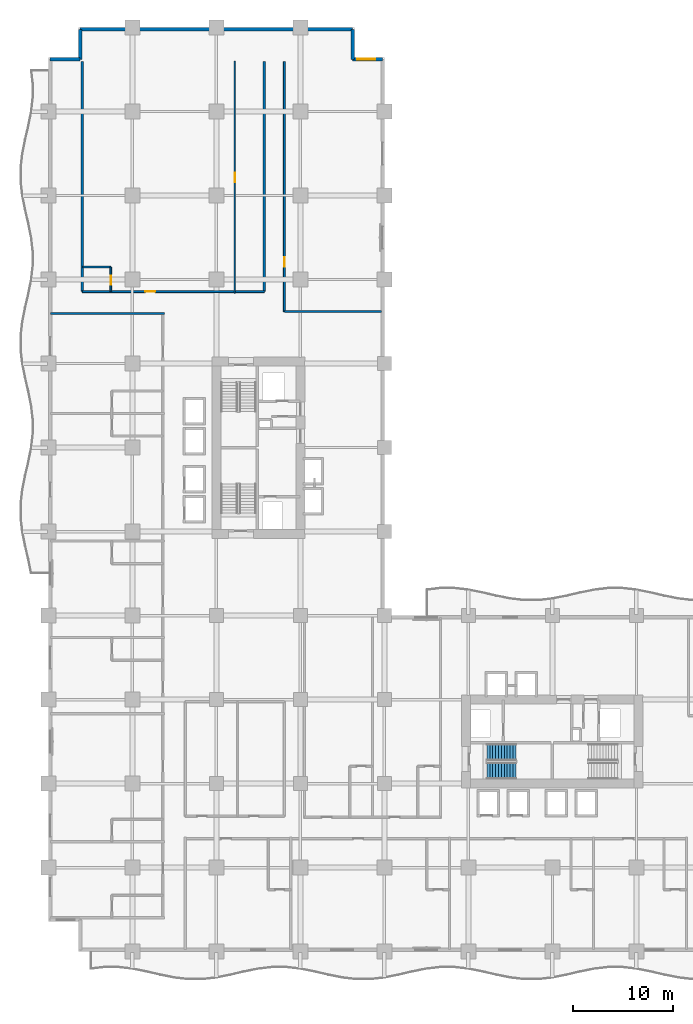
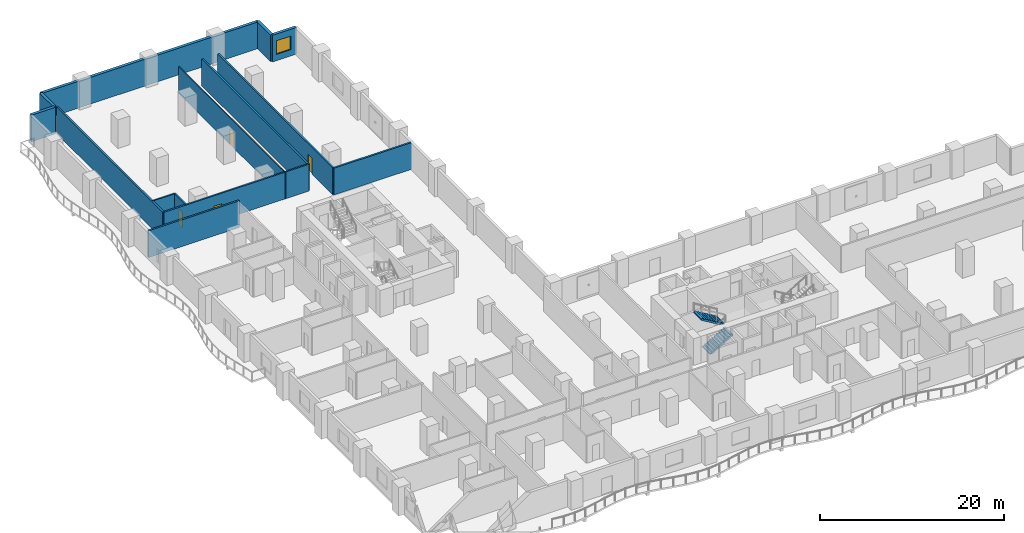
# One storey, part 13 of 20: 14 walls, 4 doors, 2 stair flights, 1 window, 5 openings, 1 element without a shape of its own.
"""IFC4 building model written with IfcOpenShell, lengths in metres."""

from ifc_helpers import new_model, si_unit, direction, frame, frame_2d, origin, place, context, subcontext, project, spatial, polyline, rectangle, outline, extrude, material, layer, layer_set, type_object, element, fill, aggregate, save


model = new_model("IFC4")

# Units and contexts
model_context = context("Model", 3, precision=1e-05, world=origin(), true_north=direction((0.0, 1.0)))
body_context = subcontext(model_context, "Body", "Model", "MODEL_VIEW")
ifc_project = project(units=[si_unit("LENGTHUNIT", "METRE"), si_unit("AREAUNIT", "SQUARE_METRE"), si_unit("VOLUMEUNIT", "CUBIC_METRE"), si_unit("PLANEANGLEUNIT", "RADIAN"), si_unit("MASSUNIT", "GRAM", prefix="KILO")], contexts=[model_context])

# Site, building, storey
site_placement = place(None, origin())
site = spatial("IfcSite", under=ifc_project, at=site_placement, CompositionType="ELEMENT")
building_placement = place(site_placement, origin())
building = spatial("IfcBuilding", under=site, at=building_placement, Name="Koriwani Terraces Tower", CompositionType="ELEMENT")
storey_placement = place(building_placement, frame((0.0, 0.0, 66.199951171875)))
storey = spatial("IfcBuildingStorey", under=building, at=storey_placement, Name="L15", CompositionType="ELEMENT", Elevation=66.199951171875)

# Wall, opening, door
ifc_material_1 = material(Name="Autoclaved Cellular Concrete Blockwork", Category="masonry")
ifc_layer_1 = layer(ifc_material_1, 0.199951171875, Name="Autoclaved Cellular Concrete Blockwork")
ifc_layer_set_1 = layer_set([ifc_layer_1], Name="Autoclaved Cellular Concrete Blockwork")
wall_type_1 = type_object("IfcWallType", Name="WALL_CORRIDOR_200", PredefinedType="PARTITIONING", material=ifc_layer_set_1)
wall_1_placement = place(storey_placement, frame((3.39990234375, 66.0, 0.0), z_axis=(0.0, 0.0, 1.0), x_axis=(1.0, 0.0, 0.0)))
wall_1 = element("IfcWall", 1, at=wall_1_placement, inside=storey, type_object=wall_type_1, Name="L15 Interior Wall WGB-L15-NTIP-S", PredefinedType="PARTITIONING", context=body_context, shape_type="SweptSolid", body=[
    extrude(rectangle(XDim=18.2001953125, YDim=0.199951171875, at=frame_2d((9.10009765625, 0.0))), origin(), (0.0, 0.0, 1.0), 3.550048828125),
])
opening_1_placement = place(wall_1_placement, frame((6.300048828125, 0.0, 0.0)))
opening_1 = element("IfcOpeningElement", 2, at=opening_1_placement, cuts=wall_1, Name="Opening D-05", PredefinedType="OPENING", context=body_context, shape_type="SweptSolid", body=[
    extrude(rectangle(XDim=1.0, YDim=2.14990234375, at=frame_2d((0.5, 1.074951171875))), frame((0.0, 0.10986328125, 0.0), z_axis=(0.0, -1.0, 0.0), x_axis=(1.0, 0.0, 0.0)), (0.0, 0.0, 1.0), 0.219970703125),
])
ifc_material_2 = material(Name="Architectural Oak Fire Door", Category="wood")
door_type_1 = type_object("IfcDoorType", Name="DOOR_SUITE_ENTRY_1000X2150", OperationType="NOTDEFINED", PredefinedType="DOOR", material=ifc_material_2)
door_1_placement = place(opening_1_placement, origin())
door_1 = element("IfcDoor", 3, at=door_1_placement, inside=storey, type_object=door_type_1, Name="Presidential Wing Suite 15N Entrance Door", OperationType="SINGLE_SWING_LEFT", OverallHeight=2.14990234375, OverallWidth=1.0, PredefinedType="DOOR", context=body_context, shape_type="SweptSolid", body=[
    extrude(rectangle(XDim=1.0, YDim=2.14990234375, at=frame_2d((0.5, 1.074951171875))), frame((0.0, 0.02490234375, 0.0), z_axis=(0.0, -1.0, 0.0), x_axis=(1.0, 0.0, 0.0)), (0.0, 0.0, 1.0), 0.050048828125),
])
fill(opening_1, door_1)

wall_2_placement = place(storey_placement, frame((23.60009765625, 64.0, 0.0), z_axis=(0.0, 0.0, 1.0), x_axis=(0.0, 1.0, 0.0)))
wall_2 = element("IfcWall", 4, at=wall_2_placement, inside=storey, type_object=wall_type_1, Name="L15 Interior Wall WNTIP2-W-L15", PredefinedType="PARTITIONING", context=body_context, shape_type="SweptSolid", body=[
    extrude(rectangle(XDim=25.0, YDim=0.199951171875, at=frame_2d((12.5, 0.0))), origin(), (0.0, 0.0, 1.0), 3.550048828125),
])
opening_2_placement = place(wall_2_placement, frame((4.5, 0.0, 0.0)))
opening_2 = element("IfcOpeningElement", 5, at=opening_2_placement, cuts=wall_2, Name="Opening D-06", PredefinedType="OPENING", context=body_context, shape_type="SweptSolid", body=[
    extrude(rectangle(XDim=0.919921875, YDim=2.10009765625, at=frame_2d((0.4599609375, 1.050048828125))), frame((0.0, 0.10986328125, 0.0), z_axis=(0.0, -1.0, 0.0), x_axis=(1.0, 0.0, 0.0)), (0.0, 0.0, 1.0), 0.219970703125),
])
door_type_2 = type_object("IfcDoorType", Name="DOOR_ROOM_INT_920X2100", OperationType="NOTDEFINED", PredefinedType="DOOR", material=ifc_material_2)
door_2_placement = place(opening_2_placement, origin())
door_2 = element("IfcDoor", 6, at=door_2_placement, inside=storey, type_object=door_type_2, Name="L15 North Panorama Salon Door", OperationType="SINGLE_SWING_RIGHT", OverallHeight=2.10009765625, OverallWidth=0.919921875, PredefinedType="DOOR", context=body_context, shape_type="SweptSolid", body=[
    extrude(rectangle(XDim=0.919921875, YDim=2.10009765625, at=frame_2d((0.4599609375, 1.050048828125))), frame((0.0, 0.02490234375, 0.0), z_axis=(0.0, -1.0, 0.0), x_axis=(1.0, 0.0, 0.0)), (0.0, 0.0, 1.0), 0.050048828125),
])
fill(opening_2, door_2)

# Walls
ifc_layer_2 = layer(ifc_material_1, 0.219970703125, Name="Autoclaved Cellular Concrete Blockwork")
ifc_layer_set_2 = layer_set([ifc_layer_2], Name="Autoclaved Cellular Concrete Blockwork")
wall_type_2 = type_object("IfcWallType", Name="WALL_DEMISING_220", PredefinedType="PARTITIONING", material=ifc_layer_set_2)
wall_3_placement = place(storey_placement, frame((0.199951171875, 63.800048828125, 0.0), z_axis=(0.0, 0.0, 1.0), x_axis=(1.0, 0.0, 0.0)))
element("IfcWall", 7, at=wall_3_placement, inside=storey, type_object=wall_type_2, Name="L15 Interior Wall WDEME-L15-NW", PredefinedType="PARTITIONING", context=body_context, shape_type="SweptSolid", body=[
    extrude(rectangle(XDim=11.429931640625, YDim=0.219970703125, at=frame_2d((5.71484375, 0.0))), origin(), (0.0, 0.0, 1.0), 3.550048828125),
])
for number, where, z_axis, x_axis, name in (
    (8, (21.60009765625, 66.0, 0.0), (0.0, 0.0, 1.0), (0.0, 1.0, 0.0), "L15 Interior Wall WGB-L15-NTIP-E"),
    (9, (3.39990234375, 66.0, 0.0), (0.0, 0.0, 1.0), (0.0, 1.0, 0.0), "L15 Interior Wall WGB-L15-NTIP-W"),
):
    element("IfcWall", number, at=place(storey_placement, frame(where, z_axis=z_axis, x_axis=x_axis)), inside=storey, type_object=wall_type_2, Name=name, PredefinedType="PARTITIONING", context=body_context, shape_type="SweptSolid", body=[
        extrude(rectangle(XDim=23.0, YDim=0.219970703125, at=frame_2d((11.5, 0.0))), origin(), (0.0, 0.0, 1.0), 3.550048828125),
    ])
wall_4_placement = place(storey_placement, frame((23.60009765625, 64.0, 0.0), z_axis=(0.0, 0.0, 1.0), x_axis=(1.0, 0.0, 0.0)))
element("IfcWall", 10, at=wall_4_placement, inside=storey, type_object=wall_type_2, Name="L15 Interior Wall WNTIP2-S-L15", PredefinedType="PARTITIONING", context=body_context, shape_type="SweptSolid", body=[
    extrude(rectangle(XDim=9.699951171875, YDim=0.219970703125, at=frame_2d((4.85009765625, 0.0))), origin(), (0.0, 0.0, 1.0), 3.550048828125),
])
ifc_material_3 = material(Name="Concrete C50/60", Category="concrete")
ifc_layer_3 = layer(ifc_material_3, 0.35009765625, Name="Concrete C50/60")
ifc_layer_set_3 = layer_set([ifc_layer_3], Name="Concrete C50/60")
wall_type_3 = type_object("IfcWallType", Name="WALL_EXT_BRUTALIST_350", PredefinedType="STANDARD", material=ifc_layer_set_3)
for number, where, z_axis, x_axis, name in (
    (11, (0.175048828125, 89.22509765625, 0.0), (0.0, 0.0, 1.0), (1.0, 0.0, 0.0), "L15 Fair-Faced Brutalist Exterior Wall (N3)"),
    (12, (3.175048828125, 89.22509765625, 0.0), (0.0, 0.0, 1.0), (0.0, 1.0, 0.0), "L15 Fair-Faced Brutalist Exterior Wall (N4)"),
):
    element("IfcWall", number, at=place(storey_placement, frame(where, z_axis=z_axis, x_axis=x_axis)), inside=storey, type_object=wall_type_3, Name=name, PredefinedType="STANDARD", context=body_context, shape_type="SweptSolid", body=[
        extrude(rectangle(XDim=3.0, YDim=0.35009765625, at=frame_2d((1.5, 0.0))), origin(), (0.0, 0.0, 1.0), 3.550048828125),
    ])
wall_5_placement = place(storey_placement, frame((3.175048828125, 92.22509765625, 0.0), z_axis=(0.0, 0.0, 1.0), x_axis=(1.0, 0.0, 0.0)))
element("IfcWall", 13, at=wall_5_placement, inside=storey, type_object=wall_type_3, Name="L15 Fair-Faced Brutalist Exterior Wall (N_TIP)", PredefinedType="STANDARD", context=body_context, shape_type="SweptSolid", body=[
    extrude(rectangle(XDim=27.25, YDim=0.35009765625, at=frame_2d((13.625, 0.0))), origin(), (0.0, 0.0, 1.0), 3.550048828125),
])
wall_6_placement = place(storey_placement, frame((30.425048828125, 92.22509765625, 0.0), z_axis=(0.0, 0.0, 1.0), x_axis=(0.0, -1.0, 0.0)))
element("IfcWall", 14, at=wall_6_placement, inside=storey, type_object=wall_type_3, Name="L15 Fair-Faced Brutalist Exterior Wall (N6)", PredefinedType="STANDARD", context=body_context, shape_type="SweptSolid", body=[
    extrude(rectangle(XDim=3.0, YDim=0.35009765625, at=frame_2d((1.5, 0.0))), origin(), (0.0, 0.0, 1.0), 3.550048828125),
])

# Wall, opening, window
wall_7_placement = place(storey_placement, frame((30.425048828125, 89.22509765625, 0.0), z_axis=(0.0, 0.0, 1.0), x_axis=(1.0, 0.0, 0.0)))
wall_7 = element("IfcWall", 15, at=wall_7_placement, inside=storey, type_object=wall_type_3, Name="L15 Fair-Faced Brutalist Exterior Wall (N7)", PredefinedType="STANDARD", context=body_context, shape_type="SweptSolid", body=[
    extrude(rectangle(XDim=3.0, YDim=0.35009765625, at=frame_2d((1.5, 0.0))), origin(), (0.0, 0.0, 1.0), 3.550048828125),
])
opening_3_placement = place(wall_7_placement, frame((0.487548828125, 0.0, 0.85009765625)))
opening_3 = element("IfcOpeningElement", 16, at=opening_3_placement, cuts=wall_7, Name="Opening W-04", PredefinedType="OPENING", context=body_context, shape_type="SweptSolid", body=[
    extrude(rectangle(XDim=1.800048828125, YDim=1.800048828125, at=frame_2d((0.89990234375, 0.89990234375))), frame((0.0, 0.18505859375, 0.0), z_axis=(0.0, -1.0, 0.0), x_axis=(1.0, 0.0, 0.0)), (0.0, 0.0, 1.0), 0.3701171875),
])
ifc_material_4 = material(Name="Tempered Laminated Low-E Glass", Category="glass")
window_type = type_object("IfcWindowType", Name="WIN_RES_BED_1800X1800", PartitioningType="DOUBLE_PANEL_VERTICAL", PredefinedType="WINDOW", material=ifc_material_4)
window_placement = place(opening_3_placement, origin())
window = element("IfcWindow", 17, at=window_placement, inside=storey, type_object=window_type, Name="L15 Exterior Window (N7-R58)", OverallHeight=1.800048828125, OverallWidth=1.800048828125, PartitioningType="SINGLE_PANEL", PredefinedType="WINDOW", context=body_context, shape_type="SweptSolid", body=[
    extrude(rectangle(XDim=1.800048828125, YDim=1.800048828125, at=frame_2d((0.89990234375, 0.89990234375))), frame((0.0, 0.030029296875, 0.0), z_axis=(0.0, -1.0, 0.0), x_axis=(1.0, 0.0, 0.0)), (0.0, 0.0, 1.0), 0.06005859375),
])
fill(opening_3, window)

# Wall, opening, door
ifc_material_5 = material(Name="Fire-Rated Acoustic Gypsum Partition", Category="masonry")
ifc_layer_4 = layer(ifc_material_5, 0.125, Name="Fire-Rated Acoustic Gypsum Partition")
ifc_layer_set_4 = layer_set([ifc_layer_4], Name="Fire-Rated Acoustic Gypsum Partition")
wall_type_4 = type_object("IfcWallType", Name="WALL_INT_125", PredefinedType="PARTITIONING", material=ifc_layer_set_4)
wall_8_placement = place(storey_placement, frame((18.64990234375, 65.85009765625, 0.0), z_axis=(0.0, 0.0, 1.0), x_axis=(0.0, 1.0, 0.0)))
wall_8 = element("IfcWall", 18, at=wall_8_placement, inside=storey, type_object=wall_type_4, Name="L15 Interior Wall WGB-L15-NTIP-BD", PredefinedType="PARTITIONING", context=body_context, shape_type="SweptSolid", body=[
    extrude(rectangle(XDim=23.199951171875, YDim=0.125, at=frame_2d((11.60009765625, 0.0))), origin(), (0.0, 0.0, 1.0), 3.550048828125),
])
opening_4_placement = place(wall_8_placement, frame((11.10009765625, 0.0, 0.0)))
opening_4 = element("IfcOpeningElement", 19, at=opening_4_placement, cuts=wall_8, Name="Opening D-06", PredefinedType="OPENING", context=body_context, shape_type="SweptSolid", body=[
    extrude(rectangle(XDim=0.919921875, YDim=2.10009765625, at=frame_2d((0.4599609375, 1.050048828125))), frame((0.0, 0.072509765625, 0.0), z_axis=(0.0, -1.0, 0.0), x_axis=(1.0, 0.0, 0.0)), (0.0, 0.0, 1.0), 0.14501953125),
])
door_3_placement = place(opening_4_placement, origin())
door_3 = element("IfcDoor", 20, at=door_3_placement, inside=storey, type_object=door_type_2, Name="Presidential Wing Suite 15N Master Suite Door", OperationType="SINGLE_SWING_LEFT", OverallHeight=2.10009765625, OverallWidth=0.919921875, PredefinedType="DOOR", context=body_context, shape_type="SweptSolid", body=[
    extrude(rectangle(XDim=0.919921875, YDim=2.10009765625, at=frame_2d((0.4599609375, 1.050048828125))), frame((0.0, 0.02490234375, 0.0), z_axis=(0.0, -1.0, 0.0), x_axis=(1.0, 0.0, 0.0)), (0.0, 0.0, 1.0), 0.050048828125),
])
fill(opening_4, door_3)

ifc_layer_5 = layer(ifc_material_5, 0.179931640625, Name="Fire-Rated Acoustic Gypsum Partition")
ifc_layer_set_5 = layer_set([ifc_layer_5], Name="Fire-Rated Acoustic Gypsum Partition")
wall_type_5 = type_object("IfcWallType", Name="WALL_PLUMBING_180", PredefinedType="PLUMBINGWALL", material=ifc_layer_set_5)
wall_9_placement = place(storey_placement, frame((6.25, 66.050048828125, 0.0), z_axis=(0.0, 0.0, 1.0), x_axis=(0.0, 1.0, 0.0)))
wall_9 = element("IfcWall", 21, at=wall_9_placement, inside=storey, type_object=wall_type_5, Name="L15 Interior Wall WGB-L15-NTIP-SVB", PredefinedType="PLUMBINGWALL", context=body_context, shape_type="SweptSolid", body=[
    extrude(rectangle(XDim=2.39990234375, YDim=0.179931640625, at=frame_2d((1.199951171875, 0.0))), origin(), (0.0, 0.0, 1.0), 3.550048828125),
])
opening_5_placement = place(wall_9_placement, frame((0.64990234375, 0.0, 0.0)))
opening_5 = element("IfcOpeningElement", 22, at=opening_5_placement, cuts=wall_9, Name="Opening D-07", PredefinedType="OPENING", context=body_context, shape_type="SweptSolid", body=[
    extrude(rectangle(XDim=0.89990234375, YDim=2.10009765625, at=frame_2d((0.449951171875, 1.050048828125))), frame((0.0, 0.10009765625, 0.0), z_axis=(0.0, -1.0, 0.0), x_axis=(1.0, 0.0, 0.0)), (0.0, 0.0, 1.0), 0.199951171875),
])
door_type_3 = type_object("IfcDoorType", Name="DOOR_BATH_INT_900X2100", OperationType="NOTDEFINED", PredefinedType="DOOR", material=ifc_material_2)
door_4_placement = place(opening_5_placement, origin())
door_4 = element("IfcDoor", 23, at=door_4_placement, inside=storey, type_object=door_type_3, Name="Presidential Wing Suite 15N Bathroom Door", OperationType="SINGLE_SWING_RIGHT", OverallHeight=2.10009765625, OverallWidth=0.89990234375, PredefinedType="DOOR", context=body_context, shape_type="SweptSolid", body=[
    extrude(rectangle(XDim=0.89990234375, YDim=2.10009765625, at=frame_2d((0.449951171875, 1.050048828125))), frame((0.0, 0.02490234375, 0.0), z_axis=(0.0, -1.0, 0.0), x_axis=(1.0, 0.0, 0.0)), (0.0, 0.0, 1.0), 0.050048828125),
])
fill(opening_5, door_4)

# Wall
wall_10_placement = place(storey_placement, frame((3.449951171875, 68.449951171875, 0.0), z_axis=(0.0, 0.0, 1.0), x_axis=(1.0, 0.0, 0.0)))
element("IfcWall", 24, at=wall_10_placement, inside=storey, type_object=wall_type_5, Name="L15 Interior Wall WGB-L15-NTIP-SV2", PredefinedType="PLUMBINGWALL", context=body_context, shape_type="SweptSolid", body=[
    extrude(rectangle(XDim=2.800048828125, YDim=0.179931640625, at=frame_2d((1.39990234375, 0.0))), origin(), (0.0, 0.0, 1.0), 3.550048828125),
])

# Stair, stair flights
ifc_material_6 = material(Name="Concrete C40/50", Category="concrete")
stair_type = type_object("IfcStairType", Name="STAIR_CORE_DOGLEG_1650", PredefinedType="TWO_STRAIGHT_RUN_STAIR", material=ifc_material_6)
stair_placement = place(storey_placement, origin())
stair = element("IfcStair", 25, at=stair_placement, inside=storey, type_object=stair_type, Name="L15 East Core Exit Stair 1", PredefinedType="HALF_TURN_STAIR")
stair_flight_type = type_object("IfcStairFlightType", Name="STAIR_FLIGHT_RC_1650", PredefinedType="STRAIGHT", material=ifc_material_6)
stair_flight_1_placement = place(storey_placement, frame((43.85009765625, 18.074951171875, 0.0), z_axis=(0.0, 0.0, 1.0), x_axis=(1.0, 0.0, 0.0)))
stair_flight_1 = element("IfcStairFlight", 26, at=stair_flight_1_placement, type_object=stair_flight_type, Name="ST-E1 flight 1", NumberOfRisers=11, NumberOfTreads=10, PredefinedType="STRAIGHT", RiserHeight=0.172727273, TreadLength=0.29, context=body_context, shape_type="SweptSolid", body=[
    extrude(outline(polyline([(0.0, 0.0), (0.0, 0.172607421875), (0.2900390625, 0.172607421875), (0.2900390625, 0.345458984375), (0.580078125, 0.345458984375), (0.580078125, 0.51806640625), (0.8701171875, 0.51806640625), (0.8701171875, 0.69091796875), (1.159912109375, 0.69091796875), (1.159912109375, 0.863525390625), (1.449951171875, 0.863525390625), (1.449951171875, 1.036376953125), (1.739990234375, 1.036376953125), (1.739990234375, 1.208984375), (2.030029296875, 1.208984375), (2.030029296875, 1.3818359375), (2.320068359375, 1.3818359375), (2.320068359375, 1.554443359375), (2.610107421875, 1.554443359375), (2.610107421875, 1.727294921875), (2.89990234375, 1.727294921875), (2.89990234375, 1.89990234375), (2.89990234375, 1.517822265625), (0.3515625, 0.0), (0.0, 0.0)])), frame((0.0, 0.824951171875, 0.0), z_axis=(0.0, -1.0, 0.0), x_axis=(1.0, 0.0, 0.0)), (0.0, 0.0, 1.0), 1.64990234375),
])
stair_flight_2_placement = place(storey_placement, frame((46.75, 19.925048828125, 1.900146484375), z_axis=(0.0, 0.0, 1.0), x_axis=(-1.0, 0.0, 0.0)))
stair_flight_2 = element("IfcStairFlight", 27, at=stair_flight_2_placement, type_object=stair_flight_type, Name="ST-E1 flight 2", NumberOfRisers=11, NumberOfTreads=10, PredefinedType="STRAIGHT", RiserHeight=0.172727273, TreadLength=0.29, context=body_context, shape_type="SweptSolid", body=[
    extrude(outline(polyline([(0.0, 0.0), (0.0, 0.172607421875), (0.2900390625, 0.172607421875), (0.2900390625, 0.345458984375), (0.580078125, 0.345458984375), (0.580078125, 0.51806640625), (0.8701171875, 0.51806640625), (0.8701171875, 0.69091796875), (1.159912109375, 0.69091796875), (1.159912109375, 0.863525390625), (1.449951171875, 0.863525390625), (1.449951171875, 1.036376953125), (1.739990234375, 1.036376953125), (1.739990234375, 1.208984375), (2.030029296875, 1.208984375), (2.030029296875, 1.3818359375), (2.320068359375, 1.3818359375), (2.320068359375, 1.554443359375), (2.610107421875, 1.554443359375), (2.610107421875, 1.727294921875), (2.89990234375, 1.727294921875), (2.89990234375, 1.89990234375), (2.89990234375, 1.517822265625), (0.3515625, 0.0), (0.0, 0.0)])), frame((0.0, 0.824951171875, 0.0), z_axis=(0.0, -1.0, 0.0), x_axis=(1.0, 0.0, 0.0)), (0.0, 0.0, 1.0), 1.64990234375),
])
aggregate(stair, [stair_flight_1, stair_flight_2])

save(model, "model.ifc")
